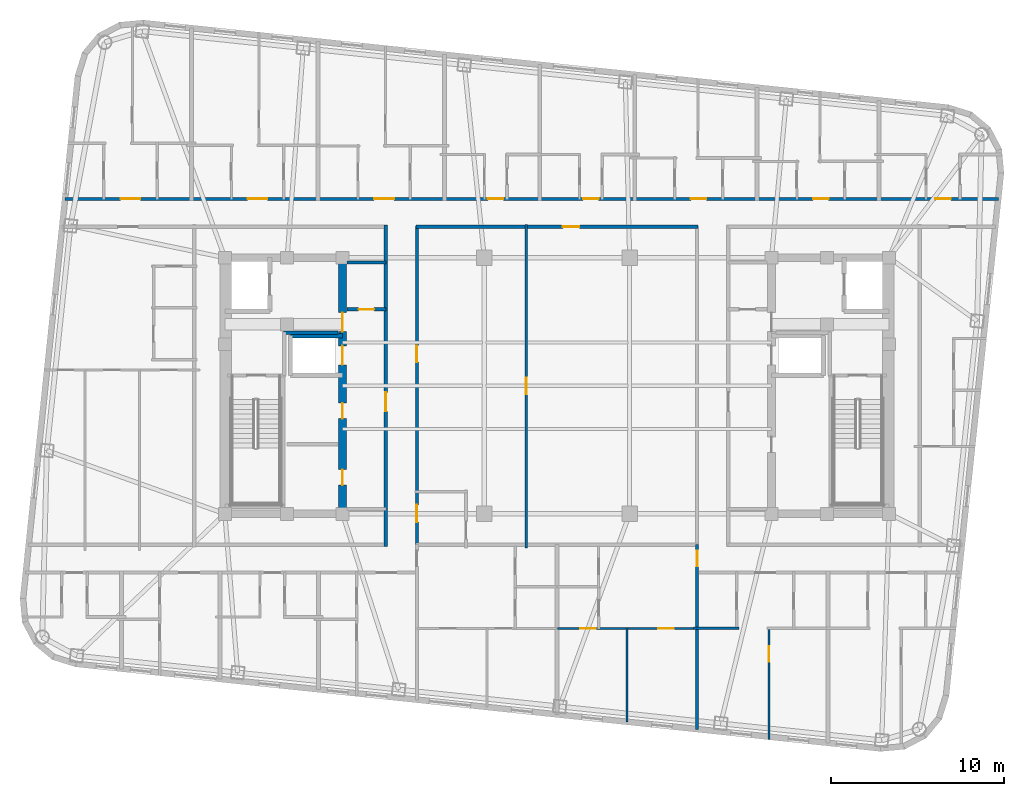
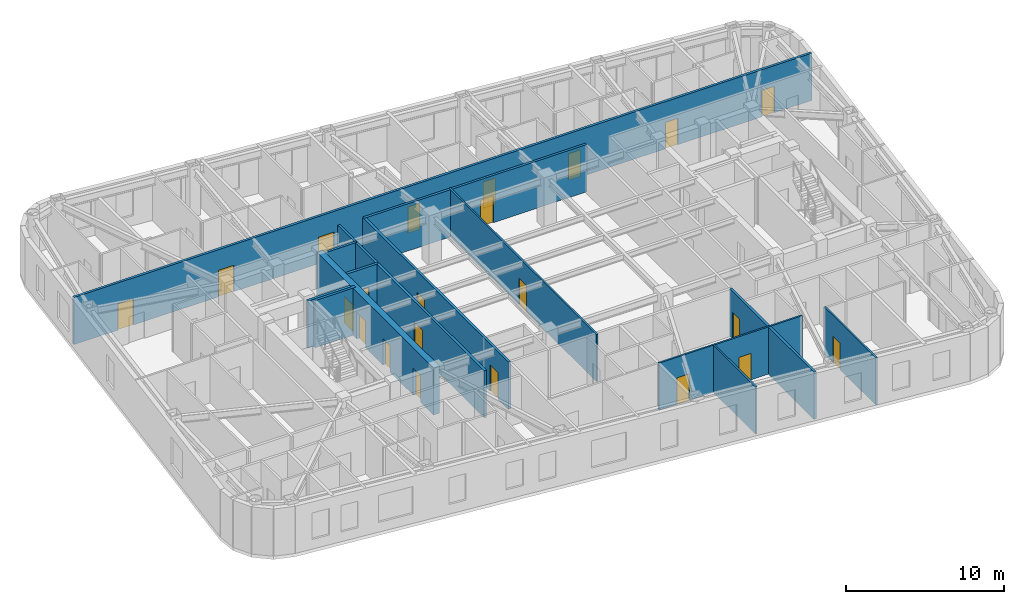
# One storey, part 5 of 11: 22 doors, 15 walls, 22 openings.
"""IFC4 building model written with IfcOpenShell, lengths in metres."""

import ifcopenshell
import ifcopenshell.guid

model = None  # the IFC model being written
_history = None  # IfcOwnerHistory: only IFC2X3 demands one
_inside = {}  # id of a spatial element -> (the spatial element, [elements in it])
_under = {}  # id of a project, library or spatial element -> (it, [spatial elements below it])
_declared = {}  # id of a project -> (the project, [libraries it declares])
_typed = {}  # id of a type object -> (the type object, [elements of that type])
_made_of = {}  # id of a material, layer set ... -> (it, [elements and type objects made of it])


def new_model(schema):
    """Start an empty IFC model of exactly this schema.

    Asked for "IFC4X3", IfcOpenShell would pick the latest addendum, in which some entities
    have other attributes; the version numbers below select the first issue.
    IFC2X3 requires an IfcOwnerHistory on every rooted entity: one is made here for all.
    """
    global model, _history
    if schema == "IFC4X3":
        model = ifcopenshell.file(schema_version=(4, 3, 0, 0))
    else:
        model = ifcopenshell.file(schema=schema)
    _inside.clear()
    _under.clear()
    _declared.clear()
    _typed.clear()
    _made_of.clear()
    _history = None
    if model.schema == "IFC2X3":
        org = make("IfcOrganization", Name="unknown")
        user = make(
            "IfcPersonAndOrganization",
            ThePerson=make("IfcPerson", FamilyName="unknown"),
            TheOrganization=org,
        )
        app = make(
            "IfcApplication",
            ApplicationDeveloper=org,
            Version="unknown",
            ApplicationFullName="unknown",
            ApplicationIdentifier="unknown",
        )
        _history = make(
            "IfcOwnerHistory",
            OwningUser=user,
            OwningApplication=app,
            ChangeAction="ADDED",
            CreationDate=0,
        )
    return model


def make(cls, **values):
    """One entity of the class cls with the attributes given. An attribute that is None is left unset."""
    return model.create_entity(
        cls, **{name: value for name, value in values.items() if value is not None}
    )


def rooted(cls, **values):
    """An entity with a GlobalId (a new one), such as an element, a storey or a relation."""
    return make(cls, GlobalId=ifcopenshell.guid.new(), OwnerHistory=_history, **values)


def si_unit(unit_type, name, prefix=None):
    """IfcSIUnit, for example si_unit("LENGTHUNIT", "METRE", prefix="MILLI")."""
    return make("IfcSIUnit", UnitType=unit_type, Prefix=prefix, Name=name)


def assignment(units):
    """IfcUnitAssignment: the units of a project."""
    return None if units is None else make("IfcUnitAssignment", Units=units)


def point(xyz):
    """IfcCartesianPoint."""
    return None if xyz is None else make("IfcCartesianPoint", Coordinates=xyz)


def direction(xyz):
    """IfcDirection."""
    return None if xyz is None else make("IfcDirection", DirectionRatios=xyz)


def frame(location, z_axis=None, x_axis=None):
    """IfcAxis2Placement3D, a coordinate frame: its origin and axes. An axis left out is left unset."""
    return make(
        "IfcAxis2Placement3D",
        Location=point(location),
        Axis=direction(z_axis),
        RefDirection=direction(x_axis),
    )


def frame_2d(location, x_axis=None):
    """IfcAxis2Placement2D, a coordinate frame in the plane: its origin and x axis."""
    return make(
        "IfcAxis2Placement2D", Location=point(location), RefDirection=direction(x_axis)
    )


def origin():
    """The frame at (0, 0, 0) with its axes left unset."""
    return frame((0.0, 0.0, 0.0))


def place(relative_to, where):
    """IfcLocalPlacement: puts the frame where relative to a parent placement (None: the world)."""
    return make(
        "IfcLocalPlacement", PlacementRelTo=relative_to, RelativePlacement=where
    )


def context(
    kind, dimensions, precision=None, world=None, true_north=None, identifier=None
):
    """IfcGeometricRepresentationContext, for example the 3D "Model" context."""
    return make(
        "IfcGeometricRepresentationContext",
        ContextIdentifier=identifier,
        ContextType=kind,
        CoordinateSpaceDimension=dimensions,
        Precision=precision,
        WorldCoordinateSystem=world,
        TrueNorth=true_north,
    )


def subcontext(parent, identifier, kind, view, scale=None):
    """IfcGeometricRepresentationSubContext, for example "Body" below "Model"."""
    return make(
        "IfcGeometricRepresentationSubContext",
        ContextIdentifier=identifier,
        ContextType=kind,
        ParentContext=parent,
        TargetScale=scale,
        TargetView=view,
    )


def project(units=None, contexts=None):
    """IfcProject with its units and contexts."""
    return rooted(
        "IfcProject",
        Name="project",
        RepresentationContexts=contexts,
        UnitsInContext=assignment(units),
    )


def spatial(cls, under=None, at=None, **own):
    """A site, building, storey or space (cls), placed at a placement, below another one or the project."""
    s = rooted(cls, ObjectPlacement=at, **own)
    if under is not None:
        _under.setdefault(under.id(), (under, []))[1].append(s)
    return s


def profile(cls, at=None, kind="AREA", **sizes):
    """A parametric profile (cls). Its sizes go by their IFC names, for example OverallWidth=200.0."""
    return make(cls, ProfileType=kind, Position=at, **sizes)


def rectangle(**sizes):
    """IfcRectangleProfileDef."""
    return profile("IfcRectangleProfileDef", **sizes)


def extrude(swept, where, along, depth):
    """IfcExtrudedAreaSolid: the profile swept, set in the frame where, extruded along a direction by depth."""
    return make(
        "IfcExtrudedAreaSolid",
        SweptArea=swept,
        Position=where,
        ExtrudedDirection=direction(along),
        Depth=depth,
    )


def shape(context_of_items, identifier, shape_type, items):
    """IfcShapeRepresentation: the items that make up one representation, for example the "Body"."""
    return make(
        "IfcShapeRepresentation",
        ContextOfItems=context_of_items,
        RepresentationIdentifier=identifier,
        RepresentationType=shape_type,
        Items=items,
    )


def material(Name=None, Category=None):
    """IfcMaterial."""
    return make("IfcMaterial", Name=Name, Category=Category)


def layer(
    of_material, thickness, ventilated=None, Name=None, Category=None, Priority=None
):
    """IfcMaterialLayer: one layer of a wall or slab, of a material (None: an air gap)."""
    return make(
        "IfcMaterialLayer",
        Material=of_material,
        LayerThickness=thickness,
        IsVentilated=ventilated,
        Name=Name,
        Category=Category,
        Priority=Priority,
    )


def layer_set(layers, Name=None):
    """IfcMaterialLayerSet."""
    return make("IfcMaterialLayerSet", MaterialLayers=layers, LayerSetName=Name)


def made_of(thing, what):
    """Note that an element or type object is made of a material, layer set ...; save() writes the relation."""
    if what is not None:
        _made_of.setdefault(what.id(), (what, []))[1].append(thing)
    return thing


def type_object(cls, material=None, **own):
    """A type object (cls), such as IfcWallType, which elements share."""
    return made_of(rooted(cls, **own), material)


def element(
    cls,
    number,
    at=None,
    inside=None,
    cuts=None,
    type_object=None,
    material=None,
    context=None,
    identifier="Body",
    shape_type=None,
    held_by="IfcProductDefinitionShape",
    body=None,
    shapes=None,
    **own,
):
    """One element of the class cls, such as IfcWall. Its Tag is "e" and its number.

    at: its placement. inside: the storey or other place that contains it. cuts: it is an
    opening in that element (IfcRelVoidsElement). A single representation is given by context,
    identifier, shape_type and body (its items); several are given by shapes. held_by: the class
    of the entity that holds the representations. save() writes the other relations.
    """
    e = rooted(cls, Tag="e%d" % number, ObjectPlacement=at, **own)
    if body is not None:
        shapes = [shape(context, identifier, shape_type, body)]
    if shapes is not None:
        e.Representation = make(held_by, Representations=shapes)
    if inside is not None:
        _inside.setdefault(inside.id(), (inside, []))[1].append(e)
    if cuts is not None:
        rooted(
            "IfcRelVoidsElement", RelatingBuildingElement=cuts, RelatedOpeningElement=e
        )
    if type_object is not None:
        _typed.setdefault(type_object.id(), (type_object, []))[1].append(e)
    return made_of(e, material)


def fill(opening, filler):
    """IfcRelFillsElement: the door or window that sits in an opening."""
    return rooted(
        "IfcRelFillsElement",
        RelatingOpeningElement=opening,
        RelatedBuildingElement=filler,
    )


def aggregate(whole, parts):
    """IfcRelAggregates: a whole, such as a stair, and the parts it consists of."""
    return rooted("IfcRelAggregates", RelatingObject=whole, RelatedObjects=parts)


def save(model, path):
    """Write the relations noted so far, then the file.

    IfcRelAggregates (storeys below a building ...), IfcRelContainedInSpatialStructure (elements
    in a storey), IfcRelDefinesByType, IfcRelAssociatesMaterial and IfcRelDeclares: one each for
    every whole, place, type object, material and project.
    """
    for whole, parts in _under.values():
        aggregate(whole, parts)
    for where, things in _inside.values():
        rooted(
            "IfcRelContainedInSpatialStructure",
            RelatedElements=things,
            RelatingStructure=where,
        )
    for kind, things in _typed.values():
        rooted("IfcRelDefinesByType", RelatedObjects=things, RelatingType=kind)
    for what, things in _made_of.values():
        rooted("IfcRelAssociatesMaterial", RelatedObjects=things, RelatingMaterial=what)
    for by, libraries in _declared.values():
        rooted("IfcRelDeclares", RelatingContext=by, RelatedDefinitions=libraries)
    model.write(path)


model = new_model("IFC4")

# Units and contexts
model_context = context("Model", 3, precision=1e-05, world=origin(), true_north=direction((0.0, 1.0)))
body_context = subcontext(model_context, "Body", "Model", "MODEL_VIEW")
ifc_project = project(units=[si_unit("LENGTHUNIT", "METRE"), si_unit("AREAUNIT", "SQUARE_METRE"), si_unit("VOLUMEUNIT", "CUBIC_METRE"), si_unit("PLANEANGLEUNIT", "RADIAN"), si_unit("MASSUNIT", "GRAM", prefix="KILO")], contexts=[model_context])

# Site, building, storey
site_placement = place(None, origin())
site = spatial("IfcSite", under=ifc_project, at=site_placement, CompositionType="ELEMENT")
building_placement = place(site_placement, origin())
building = spatial("IfcBuilding", under=site, at=building_placement, Name="Voryun Gate Residences", CompositionType="ELEMENT")
storey_placement = place(building_placement, frame((0.0, 0.0, 283.39990234375)))
storey = spatial("IfcBuildingStorey", under=building, at=storey_placement, Name="L70", CompositionType="ELEMENT", Elevation=283.39990234375)

# Wall, openings, doors
ifc_material_1 = material(Name="Concrete C50/60", Category="concrete")
ifc_layer_1 = layer(ifc_material_1, 0.449951171875, Name="CW_CORE_450")
ifc_layer_set_1 = layer_set([ifc_layer_1], Name="Concrete C50/60")
wall_type_1 = type_object("IfcWallType", Name="CW_CORE_450", PredefinedType="SHEAR", material=ifc_layer_set_1)
wall_1_placement = place(storey_placement, frame((-12.39990234375, -7.39990234375, 0.0), z_axis=(0.0, 0.0, 1.0), x_axis=(0.0, 1.0, 0.0)))
wall_1 = element("IfcWall", 1, at=wall_1_placement, inside=storey, type_object=wall_type_1, Name="L70 Core shear wall CW-L70-WE", PredefinedType="SHEAR", context=body_context, shape_type="SweptSolid", body=[
    extrude(rectangle(XDim=14.7998046875, YDim=0.449951171875, at=frame_2d((7.39990234375, 0.0))), origin(), (0.0, 0.0, 1.0), 3.650146484375),
])
opening_1_placement = place(wall_1_placement, frame((8.60009765625, 0.0, 0.0)))
opening_1 = element("IfcOpeningElement", 2, at=opening_1_placement, cuts=wall_1, Name="Opening LD2", PredefinedType="OPENING", context=body_context, shape_type="SweptSolid", body=[
    extrude(rectangle(XDim=1.10009765625, YDim=2.050048828125, at=frame_2d((0.550048828125, 1.02490234375))), frame((0.0, 0.235107421875, 0.0), z_axis=(0.0, -1.0, 0.0), x_axis=(1.0, 0.0, 0.0)), (0.0, 0.0, 1.0), 0.469970703125),
])
opening_2_placement = place(wall_1_placement, frame((10.530029296875, 0.0, 0.0)))
opening_2 = element("IfcOpeningElement", 3, at=opening_2_placement, cuts=wall_1, Name="Opening D-FD60-2", PredefinedType="OPENING", context=body_context, shape_type="SweptSolid", body=[
    extrude(rectangle(XDim=1.10009765625, YDim=2.050048828125, at=frame_2d((0.550048828125, 1.02490234375))), frame((0.0, 0.235107421875, 0.0), z_axis=(0.0, -1.0, 0.0), x_axis=(1.0, 0.0, 0.0)), (0.0, 0.0, 1.0), 0.469970703125),
])
opening_3_placement = place(wall_1_placement, frame((1.64990234375, 0.0, 0.0)))
opening_3 = element("IfcOpeningElement", 4, at=opening_3_placement, cuts=wall_1, Name="Opening D-FD60-4", PredefinedType="OPENING", context=body_context, shape_type="SweptSolid", body=[
    extrude(rectangle(XDim=0.89990234375, YDim=2.050048828125, at=frame_2d((0.449951171875, 1.02490234375))), frame((0.0, 0.235107421875, 0.0), z_axis=(0.0, -1.0, 0.0), x_axis=(1.0, 0.0, 0.0)), (0.0, 0.0, 1.0), 0.469970703125),
])
opening_4_placement = place(wall_1_placement, frame((5.5, 0.0, 0.0)))
opening_4 = element("IfcOpeningElement", 5, at=opening_4_placement, cuts=wall_1, Name="Opening D-FD60-4", PredefinedType="OPENING", context=body_context, shape_type="SweptSolid", body=[
    extrude(rectangle(XDim=0.89990234375, YDim=2.050048828125, at=frame_2d((0.449951171875, 1.02490234375))), frame((0.0, 0.235107421875, 0.0), z_axis=(0.0, -1.0, 0.0), x_axis=(1.0, 0.0, 0.0)), (0.0, 0.0, 1.0), 0.469970703125),
])
ifc_material_2 = material(Name="Painted steel fire door", Category="steel")
door_type_1 = type_object("IfcDoorType", Name="DR_FD60_FFLOB_1100", OperationType="NOTDEFINED", PredefinedType="DOOR", material=ifc_material_2)
door_1_placement = place(opening_2_placement, origin())
door_1 = element("IfcDoor", 6, at=door_1_placement, inside=storey, type_object=door_type_1, Name="Door DR-L70-CLOB-W", OperationType="SINGLE_SWING_LEFT", OverallHeight=2.050048828125, OverallWidth=1.10009765625, PredefinedType="DOOR", context=body_context, shape_type="SweptSolid", body=[
    extrude(rectangle(XDim=1.10009765625, YDim=2.050048828125, at=frame_2d((0.550048828125, 1.02490234375))), frame((0.0, 0.02490234375, 0.0), z_axis=(0.0, -1.0, 0.0), x_axis=(1.0, 0.0, 0.0)), (0.0, 0.0, 1.0), 0.050048828125),
])
fill(opening_2, door_1)
ifc_material_3 = material(Name="Painted steel fire door", Category="steel")
door_type_2 = type_object("IfcDoorType", Name="DR_FD60_RISER_900", OperationType="NOTDEFINED", PredefinedType="DOOR", material=ifc_material_3)
door_2_placement = place(opening_3_placement, origin())
door_2 = element("IfcDoor", 7, at=door_2_placement, inside=storey, type_object=door_type_2, Name="Door DR-L70-RECW-HS", OperationType="SINGLE_SWING_LEFT", OverallHeight=2.050048828125, OverallWidth=0.89990234375, PredefinedType="DOOR", context=body_context, shape_type="SweptSolid", body=[
    extrude(rectangle(XDim=0.89990234375, YDim=2.050048828125, at=frame_2d((0.449951171875, 1.02490234375))), frame((0.0, 0.02490234375, 0.0), z_axis=(0.0, -1.0, 0.0), x_axis=(1.0, 0.0, 0.0)), (0.0, 0.0, 1.0), 0.050048828125),
])
fill(opening_3, door_2)
door_3_placement = place(opening_4_placement, origin())
door_3 = element("IfcDoor", 8, at=door_3_placement, inside=storey, type_object=door_type_2, Name="Door DR-L70-RECW-HN", OperationType="SINGLE_SWING_RIGHT", OverallHeight=2.050048828125, OverallWidth=0.89990234375, PredefinedType="DOOR", context=body_context, shape_type="SweptSolid", body=[
    extrude(rectangle(XDim=0.89990234375, YDim=2.050048828125, at=frame_2d((0.449951171875, 1.02490234375))), frame((0.0, 0.02490234375, 0.0), z_axis=(0.0, -1.0, 0.0), x_axis=(1.0, 0.0, 0.0)), (0.0, 0.0, 1.0), 0.050048828125),
])
fill(opening_4, door_3)
ifc_material_4 = material(Name="Anodised aluminium", Category="aluminium")
door_type_3 = type_object("IfcDoorType", Name="DR_LD_PASS_1100", OperationType="NOTDEFINED", PredefinedType="DOOR", material=ifc_material_4)
door_4_placement = place(opening_1_placement, origin())
door_4 = element("IfcDoor", 9, at=door_4_placement, inside=storey, type_object=door_type_3, Name="Lift EL-P7 sliding landing door L70", OperationType="SLIDING_TO_LEFT", OverallHeight=2.050048828125, OverallWidth=1.10009765625, PredefinedType="DOOR", context=body_context, shape_type="SweptSolid", body=[
    extrude(rectangle(XDim=1.10009765625, YDim=2.050048828125, at=frame_2d((0.550048828125, 1.02490234375))), frame((0.0, 0.02490234375, 0.0), z_axis=(0.0, -1.0, 0.0), x_axis=(1.0, 0.0, 0.0)), (0.0, 0.0, 1.0), 0.050048828125),
])
fill(opening_1, door_4)

# Wall
ifc_material_5 = material(Name="Gypsum acoustic fireboard")
ifc_layer_2 = layer(ifc_material_5, 0.179931640625, Name="W_CORR_RATED_180")
ifc_layer_set_2 = layer_set([ifc_layer_2], Name="Gypsum acoustic fireboard")
wall_type_2 = type_object("IfcWallType", Name="W_CORR_RATED_180", PredefinedType="PARTITIONING", material=ifc_layer_set_2)
wall_2_placement = place(storey_placement, frame((-12.14990234375, 7.1201171875, 0.0), z_axis=(0.0, 0.0, 1.0), x_axis=(1.0, 0.0, 0.0)))
element("IfcWall", 10, at=wall_2_placement, inside=storey, type_object=wall_type_2, Name="Partition wall WP-L70-PLBN-W", PredefinedType="PARTITIONING", context=body_context, shape_type="SweptSolid", body=[
    extrude(rectangle(XDim=2.27001953125, YDim=0.179931640625, at=frame_2d((1.135009765625, 0.0))), origin(), (0.0, 0.0, 1.0), 3.650146484375),
])

# Wall, opening, door
wall_3_placement = place(storey_placement, frame((-9.89990234375, -9.280029296875, 0.0), z_axis=(0.0, 0.0, 1.0), x_axis=(0.0, 1.0, 0.0)))
wall_3 = element("IfcWall", 11, at=wall_3_placement, inside=storey, type_object=wall_type_2, Name="Partition wall WP-L70-PLBW-FULL", PredefinedType="PARTITIONING", context=body_context, shape_type="SweptSolid", body=[
    extrude(rectangle(XDim=18.56005859375, YDim=0.179931640625, at=frame_2d((9.280029296875, 0.0))), origin(), (0.0, 0.0, 1.0), 3.650146484375),
])
opening_5_placement = place(wall_3_placement, frame((7.802001953125, 0.0, 0.0)))
opening_5 = element("IfcOpeningElement", 12, at=opening_5_placement, cuts=wall_3, Name="Opening D-FD60-2", PredefinedType="OPENING", context=body_context, shape_type="SweptSolid", body=[
    extrude(rectangle(XDim=1.10009765625, YDim=2.050048828125, at=frame_2d((0.550048828125, 1.02490234375))), frame((0.0, 0.099853515625, 0.0), z_axis=(0.0, -1.0, 0.0), x_axis=(1.0, 0.0, 0.0)), (0.0, 0.0, 1.0), 0.199951171875),
])
door_5_placement = place(opening_5_placement, origin())
door_5 = element("IfcDoor", 13, at=door_5_placement, inside=storey, type_object=door_type_1, Name="Door DR-L70-PLBW-COR", OperationType="SINGLE_SWING_LEFT", OverallHeight=2.050048828125, OverallWidth=1.10009765625, PredefinedType="DOOR", context=body_context, shape_type="SweptSolid", body=[
    extrude(rectangle(XDim=1.10009765625, YDim=2.050048828125, at=frame_2d((0.550048828125, 1.02490234375))), frame((0.0, 0.02490234375, 0.0), z_axis=(0.0, -1.0, 0.0), x_axis=(1.0, 0.0, 0.0)), (0.0, 0.0, 1.0), 0.050048828125),
])
fill(opening_5, door_5)

wall_4_placement = place(storey_placement, frame((-8.14990234375, 9.18994140625, 0.0), z_axis=(0.0, 0.0, 1.0), x_axis=(1.0, 0.0, 0.0)))
wall_4 = element("IfcWall", 14, at=wall_4_placement, inside=storey, type_object=wall_type_2, Name="Partition wall WP-L70-Z3N", PredefinedType="PARTITIONING", context=body_context, shape_type="SweptSolid", body=[
    extrude(rectangle(XDim=16.2998046875, YDim=0.179931640625, at=frame_2d((8.14990234375, 0.0))), origin(), (0.0, 0.0, 1.0), 3.650146484375),
])
opening_6_placement = place(wall_4_placement, frame((8.489990234375, 0.0, 0.0)))
opening_6 = element("IfcOpeningElement", 15, at=opening_6_placement, cuts=wall_4, Name="Opening D-INT-1", PredefinedType="OPENING", context=body_context, shape_type="SweptSolid", body=[
    extrude(rectangle(XDim=0.949951171875, YDim=2.050048828125, at=frame_2d((0.47509765625, 1.02490234375))), frame((0.0, 0.099853515625, 0.0), z_axis=(0.0, -1.0, 0.0), x_axis=(1.0, 0.0, 0.0)), (0.0, 0.0, 1.0), 0.199951171875),
])
ifc_material_6 = material(Name="Architectural oak veneer")
door_type_4 = type_object("IfcDoorType", Name="DR_INT_ROOM_950", OperationType="NOTDEFINED", PredefinedType="DOOR", material=ifc_material_6)
door_6_placement = place(opening_6_placement, origin())
door_6 = element("IfcDoor", 16, at=door_6_placement, inside=storey, type_object=door_type_4, Name="Door DR-L70-CMIDZ3N", OperationType="SINGLE_SWING_LEFT", OverallHeight=2.050048828125, OverallWidth=0.949951171875, PredefinedType="DOOR", context=body_context, shape_type="SweptSolid", body=[
    extrude(rectangle(XDim=0.949951171875, YDim=2.050048828125, at=frame_2d((0.47509765625, 1.02490234375))), frame((0.0, 0.02490234375, 0.0), z_axis=(0.0, -1.0, 0.0), x_axis=(1.0, 0.0, 0.0)), (0.0, 0.0, 1.0), 0.050048828125),
])
fill(opening_6, door_6)

# Wall, openings, doors
wall_5_placement = place(storey_placement, frame((-8.10009765625, -9.22998046875, 0.0), z_axis=(0.0, 0.0, 1.0), x_axis=(0.0, 1.0, 0.0)))
wall_5 = element("IfcWall", 17, at=wall_5_placement, inside=storey, type_object=wall_type_2, Name="Partition wall WP-L70-Z3W", PredefinedType="PARTITIONING", context=body_context, shape_type="SweptSolid", body=[
    extrude(rectangle(XDim=18.4599609375, YDim=0.179931640625, at=frame_2d((9.22998046875, 0.0))), origin(), (0.0, 0.0, 1.0), 3.650146484375),
])
opening_7_placement = place(wall_5_placement, frame((1.345947265625, 0.0, 0.0)))
opening_7 = element("IfcOpeningElement", 18, at=opening_7_placement, cuts=wall_5, Name="Opening D-AWC-1", PredefinedType="OPENING", context=body_context, shape_type="SweptSolid", body=[
    extrude(rectangle(XDim=1.0, YDim=2.050048828125, at=frame_2d((0.5, 1.02490234375))), frame((0.0, 0.099853515625, 0.0), z_axis=(0.0, -1.0, 0.0), x_axis=(1.0, 0.0, 0.0)), (0.0, 0.0, 1.0), 0.199951171875),
])
opening_8_placement = place(wall_5_placement, frame((10.60107421875, 0.0, 0.0)))
opening_8 = element("IfcOpeningElement", 19, at=opening_8_placement, cuts=wall_5, Name="Opening D-INT-1", PredefinedType="OPENING", context=body_context, shape_type="SweptSolid", body=[
    extrude(rectangle(XDim=0.949951171875, YDim=2.050048828125, at=frame_2d((0.47509765625, 1.02490234375))), frame((0.0, 0.099853515625, 0.0), z_axis=(0.0, -1.0, 0.0), x_axis=(1.0, 0.0, 0.0)), (0.0, 0.0, 1.0), 0.199951171875),
])
ifc_material_7 = material(Name="Architectural oak veneer")
door_type_5 = type_object("IfcDoorType", Name="DR_ACC_WC_1000", OperationType="NOTDEFINED", PredefinedType="DOOR", material=ifc_material_7)
door_7_placement = place(opening_7_placement, origin())
door_7 = element("IfcDoor", 20, at=door_7_placement, inside=storey, type_object=door_type_5, Name="Door DR-L70-CMWC-D", OperationType="SINGLE_SWING_LEFT", OverallHeight=2.050048828125, OverallWidth=1.0, PredefinedType="DOOR", context=body_context, shape_type="SweptSolid", body=[
    extrude(rectangle(XDim=1.0, YDim=2.050048828125, at=frame_2d((0.5, 1.02490234375))), frame((0.0, 0.02490234375, 0.0), z_axis=(0.0, -1.0, 0.0), x_axis=(1.0, 0.0, 0.0)), (0.0, 0.0, 1.0), 0.050048828125),
])
fill(opening_7, door_7)
door_8_placement = place(opening_8_placement, origin())
door_8 = element("IfcDoor", 21, at=door_8_placement, inside=storey, type_object=door_type_4, Name="Door DR-L70-CMIDZ3W", OperationType="SINGLE_SWING_RIGHT", OverallHeight=2.050048828125, OverallWidth=0.949951171875, PredefinedType="DOOR", context=body_context, shape_type="SweptSolid", body=[
    extrude(rectangle(XDim=0.949951171875, YDim=2.050048828125, at=frame_2d((0.47509765625, 1.02490234375))), frame((0.0, 0.02490234375, 0.0), z_axis=(0.0, -1.0, 0.0), x_axis=(1.0, 0.0, 0.0)), (0.0, 0.0, 1.0), 0.050048828125),
])
fill(opening_8, door_8)

wall_6_placement = place(storey_placement, frame((-28.442626953125, 10.800048828125, 0.0), z_axis=(0.0, 0.0, 1.0), x_axis=(1.0, 0.0, 0.0)))
wall_6 = element("IfcWall", 22, at=wall_6_placement, inside=storey, type_object=wall_type_2, Name="Partition wall WP-L70-NCORR", PredefinedType="PARTITIONING", context=body_context, shape_type="SweptSolid", body=[
    extrude(rectangle(XDim=53.95556640625, YDim=0.179931640625, at=frame_2d((26.977783203125, 0.0))), origin(), (0.0, 0.0, 1.0), 3.650146484375),
])
opening_9_placement = place(wall_6_placement, frame((3.212646484375, 0.0, 0.0)))
opening_9 = element("IfcOpeningElement", 23, at=opening_9_placement, cuts=wall_6, Name="Opening D-UNIT-1", PredefinedType="OPENING", context=body_context, shape_type="SweptSolid", body=[
    extrude(rectangle(XDim=1.14990234375, YDim=2.050048828125, at=frame_2d((0.574951171875, 1.02490234375))), frame((0.0, 0.099853515625, 0.0), z_axis=(0.0, -1.0, 0.0), x_axis=(1.0, 0.0, 0.0)), (0.0, 0.0, 1.0), 0.199951171875),
])
opening_10_placement = place(wall_6_placement, frame((10.555908203125, 0.0, 0.0)))
opening_10 = element("IfcOpeningElement", 24, at=opening_10_placement, cuts=wall_6, Name="Opening D-UNIT-1", PredefinedType="OPENING", context=body_context, shape_type="SweptSolid", body=[
    extrude(rectangle(XDim=1.14990234375, YDim=2.050048828125, at=frame_2d((0.574951171875, 1.02490234375))), frame((0.0, 0.099853515625, 0.0), z_axis=(0.0, -1.0, 0.0), x_axis=(1.0, 0.0, 0.0)), (0.0, 0.0, 1.0), 0.199951171875),
])
opening_11_placement = place(wall_6_placement, frame((17.872314453125, 0.0, 0.0)))
opening_11 = element("IfcOpeningElement", 25, at=opening_11_placement, cuts=wall_6, Name="Opening D-UNIT-1", PredefinedType="OPENING", context=body_context, shape_type="SweptSolid", body=[
    extrude(rectangle(XDim=1.14990234375, YDim=2.050048828125, at=frame_2d((0.574951171875, 1.02490234375))), frame((0.0, 0.099853515625, 0.0), z_axis=(0.0, -1.0, 0.0), x_axis=(1.0, 0.0, 0.0)), (0.0, 0.0, 1.0), 0.199951171875),
])
opening_12_placement = place(wall_6_placement, frame((24.450439453125, 0.0, 0.0)))
opening_12 = element("IfcOpeningElement", 26, at=opening_12_placement, cuts=wall_6, Name="Opening D-INT-2", PredefinedType="OPENING", context=body_context, shape_type="SweptSolid", body=[
    extrude(rectangle(XDim=0.89990234375, YDim=2.050048828125, at=frame_2d((0.449951171875, 1.02490234375))), frame((0.0, 0.099853515625, 0.0), z_axis=(0.0, -1.0, 0.0), x_axis=(1.0, 0.0, 0.0)), (0.0, 0.0, 1.0), 0.199951171875),
])
opening_13_placement = place(wall_6_placement, frame((29.9541015625, 0.0, 0.0)))
opening_13 = element("IfcOpeningElement", 27, at=opening_13_placement, cuts=wall_6, Name="Opening D-INT-2", PredefinedType="OPENING", context=body_context, shape_type="SweptSolid", body=[
    extrude(rectangle(XDim=0.89990234375, YDim=2.050048828125, at=frame_2d((0.449951171875, 1.02490234375))), frame((0.0, 0.099853515625, 0.0), z_axis=(0.0, -1.0, 0.0), x_axis=(1.0, 0.0, 0.0)), (0.0, 0.0, 1.0), 0.199951171875),
])
opening_14_placement = place(wall_6_placement, frame((36.185791015625, 0.0, 0.0)))
opening_14 = element("IfcOpeningElement", 28, at=opening_14_placement, cuts=wall_6, Name="Opening D-INT-2", PredefinedType="OPENING", context=body_context, shape_type="SweptSolid", body=[
    extrude(rectangle(XDim=0.89990234375, YDim=2.050048828125, at=frame_2d((0.449951171875, 1.02490234375))), frame((0.0, 0.099853515625, 0.0), z_axis=(0.0, -1.0, 0.0), x_axis=(1.0, 0.0, 0.0)), (0.0, 0.0, 1.0), 0.199951171875),
])
opening_15_placement = place(wall_6_placement, frame((43.24853515625, 0.0, 0.0)))
opening_15 = element("IfcOpeningElement", 29, at=opening_15_placement, cuts=wall_6, Name="Opening D-INT-2", PredefinedType="OPENING", context=body_context, shape_type="SweptSolid", body=[
    extrude(rectangle(XDim=0.89990234375, YDim=2.050048828125, at=frame_2d((0.449951171875, 1.02490234375))), frame((0.0, 0.099853515625, 0.0), z_axis=(0.0, -1.0, 0.0), x_axis=(1.0, 0.0, 0.0)), (0.0, 0.0, 1.0), 0.199951171875),
])
opening_16_placement = place(wall_6_placement, frame((50.311279296875, 0.0, 0.0)))
opening_16 = element("IfcOpeningElement", 30, at=opening_16_placement, cuts=wall_6, Name="Opening D-INT-2", PredefinedType="OPENING", context=body_context, shape_type="SweptSolid", body=[
    extrude(rectangle(XDim=0.89990234375, YDim=2.050048828125, at=frame_2d((0.449951171875, 1.02490234375))), frame((0.0, 0.099853515625, 0.0), z_axis=(0.0, -1.0, 0.0), x_axis=(1.0, 0.0, 0.0)), (0.0, 0.0, 1.0), 0.199951171875),
])
ifc_material_8 = material(Name="Architectural oak veneer")
door_type_6 = type_object("IfcDoorType", Name="DR_INT_BATH_900", OperationType="NOTDEFINED", PredefinedType="DOOR", material=ifc_material_8)
door_9_placement = place(opening_12_placement, origin())
door_9 = element("IfcDoor", 31, at=door_9_placement, inside=storey, type_object=door_type_6, Name="Door DR-L70-NENT-4", OperationType="SINGLE_SWING_RIGHT", OverallHeight=2.050048828125, OverallWidth=0.89990234375, PredefinedType="DOOR", context=body_context, shape_type="SweptSolid", body=[
    extrude(rectangle(XDim=0.89990234375, YDim=2.050048828125, at=frame_2d((0.449951171875, 1.02490234375))), frame((0.0, 0.02490234375, 0.0), z_axis=(0.0, -1.0, 0.0), x_axis=(1.0, 0.0, 0.0)), (0.0, 0.0, 1.0), 0.050048828125),
])
fill(opening_12, door_9)
door_10_placement = place(opening_13_placement, origin())
door_10 = element("IfcDoor", 32, at=door_10_placement, inside=storey, type_object=door_type_6, Name="Door DR-L70-NENT-5", OperationType="SINGLE_SWING_LEFT", OverallHeight=2.050048828125, OverallWidth=0.89990234375, PredefinedType="DOOR", context=body_context, shape_type="SweptSolid", body=[
    extrude(rectangle(XDim=0.89990234375, YDim=2.050048828125, at=frame_2d((0.449951171875, 1.02490234375))), frame((0.0, 0.02490234375, 0.0), z_axis=(0.0, -1.0, 0.0), x_axis=(1.0, 0.0, 0.0)), (0.0, 0.0, 1.0), 0.050048828125),
])
fill(opening_13, door_10)
door_11_placement = place(opening_14_placement, origin())
door_11 = element("IfcDoor", 33, at=door_11_placement, inside=storey, type_object=door_type_6, Name="Door DR-L70-NENT-6", OperationType="SINGLE_SWING_RIGHT", OverallHeight=2.050048828125, OverallWidth=0.89990234375, PredefinedType="DOOR", context=body_context, shape_type="SweptSolid", body=[
    extrude(rectangle(XDim=0.89990234375, YDim=2.050048828125, at=frame_2d((0.449951171875, 1.02490234375))), frame((0.0, 0.02490234375, 0.0), z_axis=(0.0, -1.0, 0.0), x_axis=(1.0, 0.0, 0.0)), (0.0, 0.0, 1.0), 0.050048828125),
])
fill(opening_14, door_11)
door_12_placement = place(opening_15_placement, origin())
door_12 = element("IfcDoor", 34, at=door_12_placement, inside=storey, type_object=door_type_6, Name="Door DR-L70-NENT-7", OperationType="SINGLE_SWING_LEFT", OverallHeight=2.050048828125, OverallWidth=0.89990234375, PredefinedType="DOOR", context=body_context, shape_type="SweptSolid", body=[
    extrude(rectangle(XDim=0.89990234375, YDim=2.050048828125, at=frame_2d((0.449951171875, 1.02490234375))), frame((0.0, 0.02490234375, 0.0), z_axis=(0.0, -1.0, 0.0), x_axis=(1.0, 0.0, 0.0)), (0.0, 0.0, 1.0), 0.050048828125),
])
fill(opening_15, door_12)
door_13_placement = place(opening_16_placement, origin())
door_13 = element("IfcDoor", 35, at=door_13_placement, inside=storey, type_object=door_type_6, Name="Door DR-L70-NENT-8", OperationType="SINGLE_SWING_RIGHT", OverallHeight=2.050048828125, OverallWidth=0.89990234375, PredefinedType="DOOR", context=body_context, shape_type="SweptSolid", body=[
    extrude(rectangle(XDim=0.89990234375, YDim=2.050048828125, at=frame_2d((0.449951171875, 1.02490234375))), frame((0.0, 0.02490234375, 0.0), z_axis=(0.0, -1.0, 0.0), x_axis=(1.0, 0.0, 0.0)), (0.0, 0.0, 1.0), 0.050048828125),
])
fill(opening_16, door_13)
ifc_material_9 = material(Name="Armoured timber-clad fire door", Category="wood")
door_type_7 = type_object("IfcDoorType", Name="DR_UNIT_ENTRY_1150", OperationType="NOTDEFINED", PredefinedType="DOOR", material=ifc_material_9)
door_14_placement = place(opening_9_placement, origin())
door_14 = element("IfcDoor", 36, at=door_14_placement, inside=storey, type_object=door_type_7, Name="Door DR-L70-NENT-1", OperationType="SINGLE_SWING_LEFT", OverallHeight=2.050048828125, OverallWidth=1.14990234375, PredefinedType="DOOR", context=body_context, shape_type="SweptSolid", body=[
    extrude(rectangle(XDim=1.14990234375, YDim=2.050048828125, at=frame_2d((0.574951171875, 1.02490234375))), frame((0.0, 0.02490234375, 0.0), z_axis=(0.0, -1.0, 0.0), x_axis=(1.0, 0.0, 0.0)), (0.0, 0.0, 1.0), 0.050048828125),
])
fill(opening_9, door_14)
door_15_placement = place(opening_10_placement, origin())
door_15 = element("IfcDoor", 37, at=door_15_placement, inside=storey, type_object=door_type_7, Name="Door DR-L70-NENT-2", OperationType="SINGLE_SWING_RIGHT", OverallHeight=2.050048828125, OverallWidth=1.14990234375, PredefinedType="DOOR", context=body_context, shape_type="SweptSolid", body=[
    extrude(rectangle(XDim=1.14990234375, YDim=2.050048828125, at=frame_2d((0.574951171875, 1.02490234375))), frame((0.0, 0.02490234375, 0.0), z_axis=(0.0, -1.0, 0.0), x_axis=(1.0, 0.0, 0.0)), (0.0, 0.0, 1.0), 0.050048828125),
])
fill(opening_10, door_15)
door_16_placement = place(opening_11_placement, origin())
door_16 = element("IfcDoor", 38, at=door_16_placement, inside=storey, type_object=door_type_7, Name="Door DR-L70-NENT-3", OperationType="SINGLE_SWING_LEFT", OverallHeight=2.050048828125, OverallWidth=1.14990234375, PredefinedType="DOOR", context=body_context, shape_type="SweptSolid", body=[
    extrude(rectangle(XDim=1.14990234375, YDim=2.050048828125, at=frame_2d((0.574951171875, 1.02490234375))), frame((0.0, 0.02490234375, 0.0), z_axis=(0.0, -1.0, 0.0), x_axis=(1.0, 0.0, 0.0)), (0.0, 0.0, 1.0), 0.050048828125),
])
fill(opening_11, door_16)

# Wall, opening, door
wall_7_placement = place(storey_placement, frame((8.10009765625, -19.857177734375, 0.0), z_axis=(0.0, 0.0, 1.0), x_axis=(0.0, 1.0, 0.0)))
wall_7 = element("IfcWall", 39, at=wall_7_placement, inside=storey, type_object=wall_type_2, Name="Partition wall WP-L70-SZV-2", PredefinedType="PARTITIONING", context=body_context, shape_type="SweptSolid", body=[
    extrude(rectangle(XDim=10.667236328125, YDim=0.179931640625, at=frame_2d((5.33349609375, 0.0))), origin(), (0.0, 0.0, 1.0), 3.650146484375),
])
opening_17_placement = place(wall_7_placement, frame((9.417236328125, 0.0, 0.0)))
opening_17 = element("IfcOpeningElement", 40, at=opening_17_placement, cuts=wall_7, Name="Opening D-INT-2", PredefinedType="OPENING", context=body_context, shape_type="SweptSolid", body=[
    extrude(rectangle(XDim=0.89990234375, YDim=2.050048828125, at=frame_2d((0.449951171875, 1.02490234375))), frame((0.0, 0.099853515625, 0.0), z_axis=(0.0, -1.0, 0.0), x_axis=(1.0, 0.0, 0.0)), (0.0, 0.0, 1.0), 0.199951171875),
])
door_17_placement = place(opening_17_placement, origin())
door_17 = element("IfcDoor", 41, at=door_17_placement, inside=storey, type_object=door_type_6, Name="Door DR-L70-SZENT-2", OperationType="SINGLE_SWING_RIGHT", OverallHeight=2.050048828125, OverallWidth=0.89990234375, PredefinedType="DOOR", context=body_context, shape_type="SweptSolid", body=[
    extrude(rectangle(XDim=0.89990234375, YDim=2.050048828125, at=frame_2d((0.449951171875, 1.02490234375))), frame((0.0, 0.02490234375, 0.0), z_axis=(0.0, -1.0, 0.0), x_axis=(1.0, 0.0, 0.0)), (0.0, 0.0, 1.0), 0.050048828125),
])
fill(opening_17, door_17)

# Wall
ifc_material_10 = material(Name="Concrete C40/50", Category="concrete")
ifc_layer_3 = layer(ifc_material_10, 0.199951171875, Name="W_FF_LOBBY_200")
ifc_layer_set_3 = layer_set([ifc_layer_3], Name="Concrete C40/50")
wall_type_3 = type_object("IfcWallType", Name="W_FF_LOBBY_200", PredefinedType="PARTITIONING", material=ifc_layer_set_3)
wall_8_placement = place(storey_placement, frame((-15.820068359375, 3.06005859375, 0.0), z_axis=(0.0, 0.0, 1.0), x_axis=(1.0, 0.0, 0.0)))
element("IfcWall", 42, at=wall_8_placement, inside=storey, type_object=wall_type_3, Name="Partition wall WP-L70-FFPS-W", PredefinedType="PARTITIONING", context=body_context, shape_type="SweptSolid", body=[
    extrude(rectangle(XDim=3.16015625, YDim=0.199951171875, at=frame_2d((1.580078125, 0.0))), origin(), (0.0, 0.0, 1.0), 3.650146484375),
])

# Wall, opening, door
wall_9_placement = place(storey_placement, frame((-12.14990234375, 4.409912109375, 0.0), z_axis=(0.0, 0.0, 1.0), x_axis=(1.0, 0.0, 0.0)))
wall_9 = element("IfcWall", 43, at=wall_9_placement, inside=storey, type_object=wall_type_3, Name="Partition wall WP-L70-CSFLKS-W", PredefinedType="PARTITIONING", context=body_context, shape_type="SweptSolid", body=[
    extrude(rectangle(XDim=2.27001953125, YDim=0.199951171875, at=frame_2d((1.135009765625, 0.0))), origin(), (0.0, 0.0, 1.0), 3.650146484375),
])
opening_18_placement = place(wall_9_placement, frame((0.68505859375, 0.0, 0.0)))
opening_18 = element("IfcOpeningElement", 44, at=opening_18_placement, cuts=wall_9, Name="Opening D-FD60-4", PredefinedType="OPENING", context=body_context, shape_type="SweptSolid", body=[
    extrude(rectangle(XDim=0.89990234375, YDim=2.050048828125, at=frame_2d((0.449951171875, 1.02490234375))), frame((0.0, 0.110107421875, 0.0), z_axis=(0.0, -1.0, 0.0), x_axis=(1.0, 0.0, 0.0)), (0.0, 0.0, 1.0), 0.219970703125),
])
door_18_placement = place(opening_18_placement, origin())
door_18 = element("IfcDoor", 45, at=door_18_placement, inside=storey, type_object=door_type_2, Name="Door DR-L70-CSFLK-W", OperationType="SINGLE_SWING_LEFT", OverallHeight=2.050048828125, OverallWidth=0.89990234375, PredefinedType="DOOR", context=body_context, shape_type="SweptSolid", body=[
    extrude(rectangle(XDim=0.89990234375, YDim=2.050048828125, at=frame_2d((0.449951171875, 1.02490234375))), frame((0.0, 0.02490234375, 0.0), z_axis=(0.0, -1.0, 0.0), x_axis=(1.0, 0.0, 0.0)), (0.0, 0.0, 1.0), 0.050048828125),
])
fill(opening_18, door_18)

# Wall
ifc_material_11 = material(Name="Concrete C50/60", Category="concrete")
ifc_layer_4 = layer(ifc_material_11, 0.25, Name="W_SHAFT_RC250")
ifc_layer_set_4 = layer_set([ifc_layer_4], Name="Concrete C50/60")
wall_type_4 = type_object("IfcWallType", Name="W_SHAFT_RC250", PredefinedType="SOLIDWALL", material=ifc_layer_set_4)
wall_10_placement = place(storey_placement, frame((-12.39990234375, 2.89990234375, 0.0), z_axis=(0.0, 0.0, 1.0), x_axis=(-1.0, 0.0, 0.0)))
element("IfcWall", 46, at=wall_10_placement, inside=storey, type_object=wall_type_4, Name="Lift shaft wall WSH-L70-EL-P7-N", PredefinedType="SOLIDWALL", context=body_context, shape_type="SweptSolid", body=[
    extrude(rectangle(XDim=3.0, YDim=0.25, at=frame_2d((1.5, 0.0))), origin(), (0.0, 0.0, 1.0), 3.650146484375),
])

# Wall, opening, door
ifc_material_12 = material(Name="Gypsum acoustic partition")
ifc_layer_5 = layer(ifc_material_12, 0.125, Name="W_UNIT_PART_125")
ifc_layer_set_5 = layer_set([ifc_layer_5], Name="Gypsum acoustic partition")
wall_type_5 = type_object("IfcWallType", Name="W_UNIT_PART_125", PredefinedType="PARTITIONING", material=ifc_layer_set_5)
wall_11_placement = place(storey_placement, frame((-1.77294921875, -9.3701171875, 0.0), z_axis=(0.0, 0.0, 1.0), x_axis=(0.0, 1.0, 0.0)))
wall_11 = element("IfcWall", 47, at=wall_11_placement, inside=storey, type_object=wall_type_5, Name="Partition wall WP-L70-MIDX-0", PredefinedType="PARTITIONING", context=body_context, shape_type="SweptSolid", body=[
    extrude(rectangle(XDim=18.690185546875, YDim=0.125, at=frame_2d((9.34521484375, 0.0))), origin(), (0.0, 0.0, 1.0), 3.650146484375),
])
opening_19_placement = place(wall_11_placement, frame((8.8701171875, 0.0, 0.0)))
opening_19 = element("IfcOpeningElement", 48, at=opening_19_placement, cuts=wall_11, Name="Opening D-INT-1", PredefinedType="OPENING", context=body_context, shape_type="SweptSolid", body=[
    extrude(rectangle(XDim=0.949951171875, YDim=2.050048828125, at=frame_2d((0.47509765625, 1.02490234375))), frame((0.0, 0.072509765625, 0.0), z_axis=(0.0, -1.0, 0.0), x_axis=(1.0, 0.0, 0.0)), (0.0, 0.0, 1.0), 0.14501953125),
])
door_19_placement = place(opening_19_placement, origin())
door_19 = element("IfcDoor", 49, at=door_19_placement, inside=storey, type_object=door_type_4, Name="Door DR-L70-MIDX-0", OperationType="SINGLE_SWING_LEFT", OverallHeight=2.050048828125, OverallWidth=0.949951171875, PredefinedType="DOOR", context=body_context, shape_type="SweptSolid", body=[
    extrude(rectangle(XDim=0.949951171875, YDim=2.050048828125, at=frame_2d((0.47509765625, 1.02490234375))), frame((0.0, 0.02490234375, 0.0), z_axis=(0.0, -1.0, 0.0), x_axis=(1.0, 0.0, 0.0)), (0.0, 0.0, 1.0), 0.050048828125),
])
fill(opening_19, door_19)

wall_12_placement = place(storey_placement, frame((12.25390625, -20.444580078125, 0.0), z_axis=(0.0, 0.0, 1.0), x_axis=(0.0, 1.0, 0.0)))
wall_12 = element("IfcWall", 50, at=wall_12_placement, inside=storey, type_object=wall_type_5, Name="Partition wall WP-L70-S6-OVR", PredefinedType="PARTITIONING", context=body_context, shape_type="SweptSolid", body=[
    extrude(rectangle(XDim=6.504638671875, YDim=0.125, at=frame_2d((3.25244140625, 0.0))), origin(), (0.0, 0.0, 1.0), 3.650146484375),
])
opening_20_placement = place(wall_12_placement, frame((4.49365234375, 0.0, 0.0)))
opening_20 = element("IfcOpeningElement", 51, at=opening_20_placement, cuts=wall_12, Name="Opening D-INT-2", PredefinedType="OPENING", context=body_context, shape_type="SweptSolid", body=[
    extrude(rectangle(XDim=0.89990234375, YDim=2.050048828125, at=frame_2d((0.449951171875, 1.02490234375))), frame((0.0, 0.072509765625, 0.0), z_axis=(0.0, -1.0, 0.0), x_axis=(1.0, 0.0, 0.0)), (0.0, 0.0, 1.0), 0.14501953125),
])
door_20_placement = place(opening_20_placement, origin())
door_20 = element("IfcDoor", 52, at=door_20_placement, inside=storey, type_object=door_type_6, Name="Door DR-L70-S6-DMB", OperationType="SINGLE_SWING_RIGHT", OverallHeight=2.050048828125, OverallWidth=0.89990234375, PredefinedType="DOOR", context=body_context, shape_type="SweptSolid", body=[
    extrude(rectangle(XDim=0.89990234375, YDim=2.050048828125, at=frame_2d((0.449951171875, 1.02490234375))), frame((0.0, 0.02490234375, 0.0), z_axis=(0.0, -1.0, 0.0), x_axis=(1.0, 0.0, 0.0)), (0.0, 0.0, 1.0), 0.050048828125),
])
fill(opening_20, door_20)

# Wall
wall_13_placement = place(storey_placement, frame((7.887451171875, -14.02001953125, 0.0), z_axis=(0.0, 0.0, 1.0), x_axis=(1.0, 0.0, 0.0)))
element("IfcWall", 53, at=wall_13_placement, inside=storey, type_object=wall_type_5, Name="Partition wall WP-L70-S6-HZK", PredefinedType="PARTITIONING", context=body_context, shape_type="SweptSolid", body=[
    extrude(rectangle(XDim=2.62255859375, YDim=0.125, at=frame_2d((1.311279296875, 0.0))), origin(), (0.0, 0.0, 1.0), 3.650146484375),
])

# Wall, openings, doors
wall_14_placement = place(storey_placement, frame((0.02001953125, -14.030029296875, 0.0), z_axis=(0.0, 0.0, 1.0), x_axis=(1.0, 0.0, 0.0)))
wall_14 = element("IfcWall", 54, at=wall_14_placement, inside=storey, type_object=wall_type_5, Name="Partition wall WP-L70-SC2-HZ", PredefinedType="PARTITIONING", context=body_context, shape_type="SweptSolid", body=[
    extrude(rectangle(XDim=7.992431640625, YDim=0.125, at=frame_2d((3.99609375, 0.0))), origin(), (0.0, 0.0, 1.0), 3.650146484375),
])
opening_21_placement = place(wall_14_placement, frame((1.3232421875, 0.0, 0.0)))
opening_21 = element("IfcOpeningElement", 55, at=opening_21_placement, cuts=wall_14, Name="Opening D-INT-2", PredefinedType="OPENING", context=body_context, shape_type="SweptSolid", body=[
    extrude(rectangle(XDim=0.89990234375, YDim=2.050048828125, at=frame_2d((0.449951171875, 1.02490234375))), frame((0.0, 0.072509765625, 0.0), z_axis=(0.0, -1.0, 0.0), x_axis=(1.0, 0.0, 0.0)), (0.0, 0.0, 1.0), 0.14501953125),
])
opening_22_placement = place(wall_14_placement, frame((5.8369140625, 0.0, 0.0)))
opening_22 = element("IfcOpeningElement", 56, at=opening_22_placement, cuts=wall_14, Name="Opening D-INT-2", PredefinedType="OPENING", context=body_context, shape_type="SweptSolid", body=[
    extrude(rectangle(XDim=0.89990234375, YDim=2.050048828125, at=frame_2d((0.449951171875, 1.02490234375))), frame((0.0, 0.072509765625, 0.0), z_axis=(0.0, -1.0, 0.0), x_axis=(1.0, 0.0, 0.0)), (0.0, 0.0, 1.0), 0.14501953125),
])
door_21_placement = place(opening_21_placement, origin())
door_21 = element("IfcDoor", 57, at=door_21_placement, inside=storey, type_object=door_type_6, Name="Door DR-L70-SC2-DMB", OperationType="SINGLE_SWING_LEFT", OverallHeight=2.050048828125, OverallWidth=0.89990234375, PredefinedType="DOOR", context=body_context, shape_type="SweptSolid", body=[
    extrude(rectangle(XDim=0.89990234375, YDim=2.050048828125, at=frame_2d((0.449951171875, 1.02490234375))), frame((0.0, 0.02490234375, 0.0), z_axis=(0.0, -1.0, 0.0), x_axis=(1.0, 0.0, 0.0)), (0.0, 0.0, 1.0), 0.050048828125),
])
fill(opening_21, door_21)
door_22_placement = place(opening_22_placement, origin())
door_22 = element("IfcDoor", 58, at=door_22_placement, inside=storey, type_object=door_type_6, Name="Door DR-L70-SC2-DBD2", OperationType="SINGLE_SWING_RIGHT", OverallHeight=2.050048828125, OverallWidth=0.89990234375, PredefinedType="DOOR", context=body_context, shape_type="SweptSolid", body=[
    extrude(rectangle(XDim=0.89990234375, YDim=2.050048828125, at=frame_2d((0.449951171875, 1.02490234375))), frame((0.0, 0.02490234375, 0.0), z_axis=(0.0, -1.0, 0.0), x_axis=(1.0, 0.0, 0.0)), (0.0, 0.0, 1.0), 0.050048828125),
])
fill(opening_22, door_22)

# Wall
wall_15_placement = place(storey_placement, frame((4.050048828125, -19.431640625, 0.0), z_axis=(0.0, 0.0, 1.0), x_axis=(0.0, 1.0, 0.0)))
element("IfcWall", 59, at=wall_15_placement, inside=storey, type_object=wall_type_5, Name="Partition wall WP-L70-SC2-VBD", PredefinedType="PARTITIONING", context=body_context, shape_type="SweptSolid", body=[
    extrude(rectangle(XDim=5.441650390625, YDim=0.125, at=frame_2d((2.720703125, 0.0))), origin(), (0.0, 0.0, 1.0), 3.650146484375),
])

save(model, "model.ifc")
